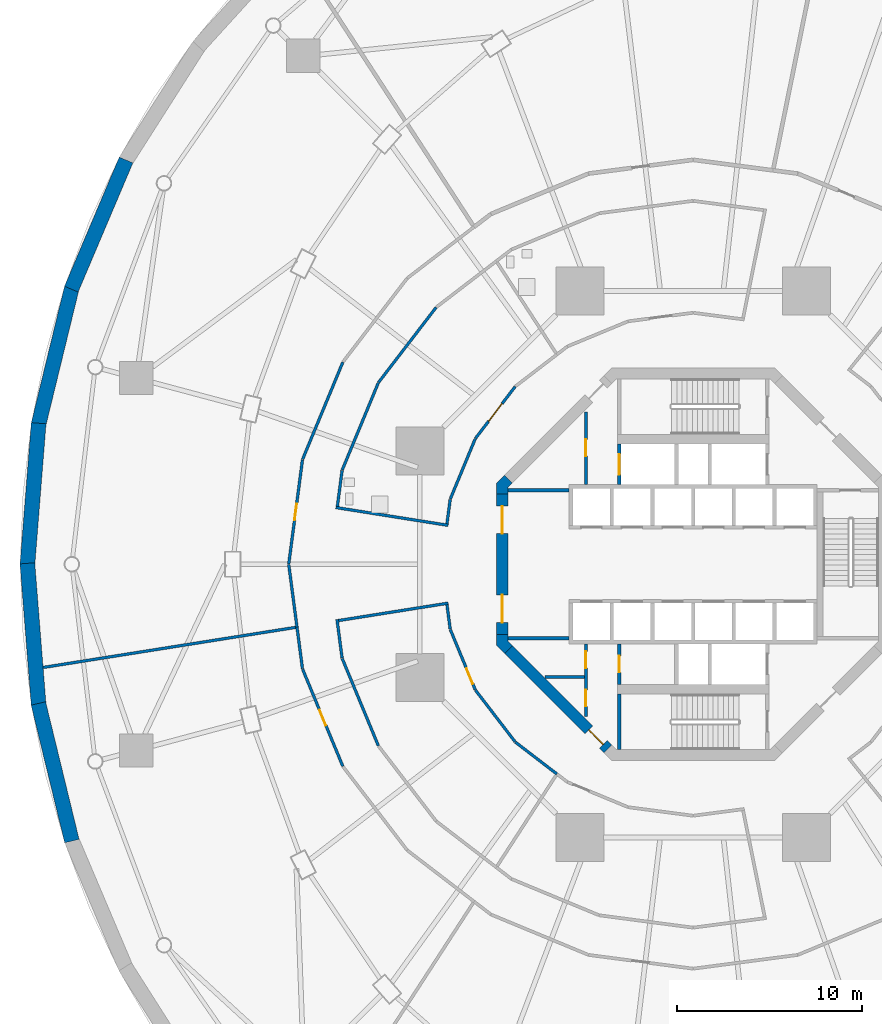
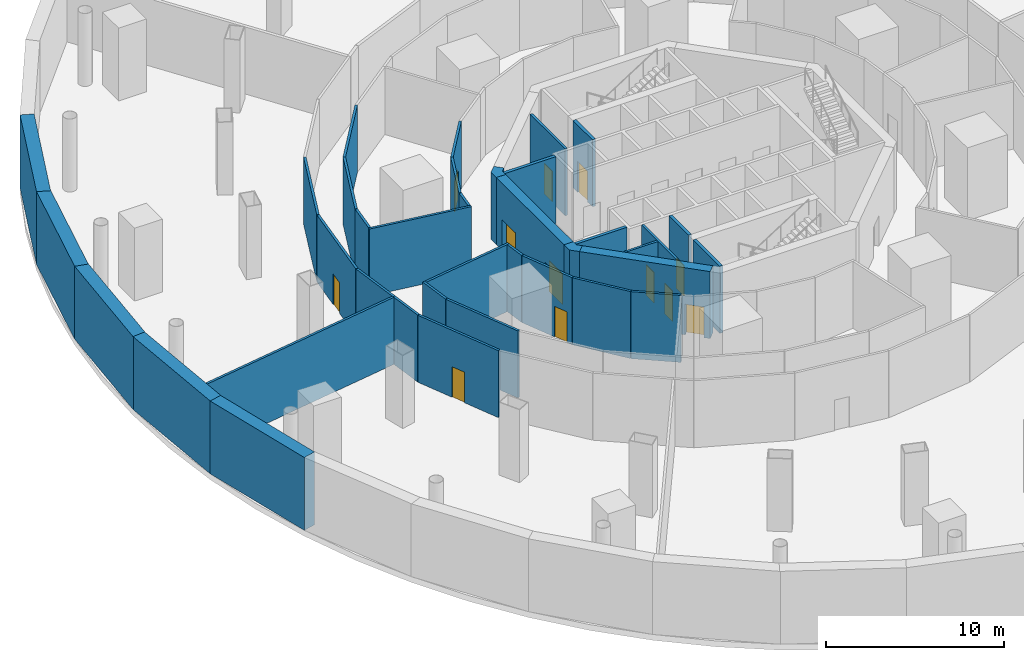
# One storey, part 7 of 14: 37 walls, 12 doors, 12 openings.
"""IFC4 building model written with IfcOpenShell, lengths in metres."""

from ifc_helpers import new_model, si_unit, direction, frame, frame_2d, origin, place, context, subcontext, project, spatial, polyline, rectangle, outline, extrude, material, layer, layer_set, type_object, element, fill, save


model = new_model("IFC4")

# Units and contexts
model_context = context("Model", 3, precision=1e-05, world=origin(), true_north=direction((0.0, 1.0)))
body_context = subcontext(model_context, "Body", "Model", "MODEL_VIEW")
ifc_project = project(units=[si_unit("LENGTHUNIT", "METRE"), si_unit("AREAUNIT", "SQUARE_METRE"), si_unit("VOLUMEUNIT", "CUBIC_METRE"), si_unit("PLANEANGLEUNIT", "RADIAN"), si_unit("MASSUNIT", "GRAM", prefix="KILO")], contexts=[model_context])

# Site, building, storey
site_placement = place(None, origin())
site = spatial("IfcSite", under=ifc_project, at=site_placement, CompositionType="ELEMENT")
building_placement = place(site_placement, origin())
building = spatial("IfcBuilding", under=site, at=building_placement, Name="Nagisa Residences", CompositionType="ELEMENT")
storey_placement = place(building_placement, frame((0.0, 0.0, -5.0)))
storey = spatial("IfcBuildingStorey", under=building, at=storey_placement, Name="B1", CompositionType="ELEMENT", Elevation=-5.0)

# Walls
ifc_material_1 = material(Name="Concrete C40", Category="concrete")
ifc_layer_1 = layer(ifc_material_1, 0.800048828125)
ifc_layer_set_1 = layer_set([ifc_layer_1], Name="Basement retaining wall 800")
wall_type_1 = type_object("IfcWallType", Name="Basement retaining wall 800", PredefinedType="SOLIDWALL", material=ifc_layer_set_1)
wall_1_placement = place(storey_placement, frame((-33.595703125, -14.9716796875, 0.0), z_axis=(0.0, 0.0, 1.0), x_axis=(-0.23668985803, 0.971585256735, 0.0)))
element("IfcWall", 1, at=wall_1_placement, inside=storey, type_object=wall_type_1, Name="wall:B1:ret17", PredefinedType="SOLIDWALL", context=body_context, shape_type="SweptSolid", body=[
    extrude(rectangle(XDim=7.660888671875, YDim=0.800048828125, at=frame_2d((3.83056640625, 0.0))), origin(), (0.0, 0.0, 1.0), 5.0),
])
for number, where, z_axis, x_axis, name in (
    (2, (-35.39306640625, -7.626953125, 0.0), (0.0, 0.0, 1.0), (-0.079287821658, 0.996851764977, 0.0), "wall:B1:ret18"),
    (3, (-36.003662109375, -0.0498046875, 0.0), (0.0, 0.0, 1.0), (0.079287821658, 0.996851764977, 0.0), "wall:B1:ret19"),
):
    element("IfcWall", number, at=place(storey_placement, frame(where, z_axis=z_axis, x_axis=x_axis)), inside=storey, type_object=wall_type_1, Name=name, PredefinedType="SOLIDWALL", context=body_context, shape_type="SweptSolid", body=[
        extrude(rectangle(XDim=7.700927734375, YDim=0.800048828125, at=frame_2d((3.8505859375, 0.0))), origin(), (0.0, 0.0, 1.0), 5.0),
    ])
wall_2_placement = place(storey_placement, frame((-35.408935546875, 7.528564453125, 0.0), z_axis=(0.0, 0.0, 1.0), x_axis=(0.23668985803, 0.971585256735, 0.0)))
element("IfcWall", 4, at=wall_2_placement, inside=storey, type_object=wall_type_1, Name="wall:B1:ret20", PredefinedType="SOLIDWALL", context=body_context, shape_type="SweptSolid", body=[
    extrude(rectangle(XDim=7.660888671875, YDim=0.800048828125, at=frame_2d((3.83056640625, 0.0))), origin(), (0.0, 0.0, 1.0), 5.0),
])
wall_3_placement = place(storey_placement, frame((-33.627197265625, 14.876953125, 0.0), z_axis=(0.0, 0.0, 1.0), x_axis=(0.390299354435, 0.920688011179, 0.0)))
element("IfcWall", 5, at=wall_3_placement, inside=storey, type_object=wall_type_1, Name="wall:B1:ret21", PredefinedType="SOLIDWALL", context=body_context, shape_type="SweptSolid", body=[
    extrude(rectangle(XDim=7.58447265625, YDim=0.800048828125, at=frame_2d((3.792236328125, 0.0))), origin(), (0.0, 0.0, 1.0), 5.0),
])

# Wall, opening, door
ifc_material_2 = material(Name="Gypsum board on steel studs", Category="steel")
ifc_layer_2 = layer(ifc_material_2, 0.14990234375)
ifc_layer_set_2 = layer_set([ifc_layer_2], Name="Core partition 150")
wall_type_2 = type_object("IfcWallType", Name="Core partition 150", PredefinedType="PARTITIONING", material=ifc_layer_set_2)
wall_4_placement = place(storey_placement, frame((-5.800048828125, 4.300048828125, 0.0), z_axis=(0.0, 0.0, 1.0), x_axis=(0.0, 1.0, 0.0)))
wall_4 = element("IfcWall", 6, at=wall_4_placement, inside=storey, type_object=wall_type_2, Name="wall:B1:NWp", PredefinedType="PARTITIONING", context=body_context, shape_type="SweptSolid", body=[
    extrude(rectangle(XDim=3.927001953125, YDim=0.14990234375, at=frame_2d((1.96337890625, 0.0))), origin(), (0.0, 0.0, 1.0), 4.60009765625),
])
opening_1_placement = place(wall_4_placement, frame((1.551025390625, 0.0, 0.0)))
opening_1 = element("IfcOpeningElement", 7, at=opening_1_placement, cuts=wall_4, Name="Opening B1-C19", PredefinedType="OPENING", context=body_context, shape_type="SweptSolid", body=[
    extrude(rectangle(XDim=0.89990234375, YDim=2.10009765625, at=frame_2d((0.449951171875, 1.050048828125))), frame((0.0, 0.0849609375, 0.0), z_axis=(0.0, -1.0, 0.0), x_axis=(1.0, 0.0, 0.0)), (0.0, 0.0, 1.0), 0.169921875),
])
ifc_material_3 = material(Name="Steel fire door", Category="steel")
door_type_1 = type_object("IfcDoorType", Name="Fire door EI30 900x2100 single swing", OperationType="NOTDEFINED", PredefinedType="DOOR", material=ifc_material_3)
door_1_placement = place(opening_1_placement, origin())
door_1 = element("IfcDoor", 8, at=door_1_placement, inside=storey, type_object=door_type_1, Name="Staff WC door B1", OperationType="SINGLE_SWING_RIGHT", OverallHeight=2.10009765625, OverallWidth=0.89990234375, PredefinedType="DOOR", context=body_context, shape_type="SweptSolid", body=[
    extrude(rectangle(XDim=0.89990234375, YDim=2.10009765625, at=frame_2d((0.449951171875, 1.050048828125))), frame((0.0, 0.02490234375, 0.0), z_axis=(0.0, -1.0, 0.0), x_axis=(1.0, 0.0, 0.0)), (0.0, 0.0, 1.0), 0.050048828125),
])
fill(opening_1, door_1)

# Wall, openings, doors
wall_5_placement = place(storey_placement, frame((-5.800048828125, -8.22705078125, 0.0), z_axis=(0.0, 0.0, 1.0), x_axis=(0.0, 1.0, 0.0)))
wall_5 = element("IfcWall", 9, at=wall_5_placement, inside=storey, type_object=wall_type_2, Name="wall:B1:SWp", PredefinedType="PARTITIONING", context=body_context, shape_type="SweptSolid", body=[
    extrude(rectangle(XDim=3.927001953125, YDim=0.14990234375, at=frame_2d((1.96337890625, 0.0))), origin(), (0.0, 0.0, 1.0), 4.60009765625),
])
opening_2_placement = place(wall_5_placement, frame((2.614501953125, 0.0, 0.0)))
opening_2 = element("IfcOpeningElement", 10, at=opening_2_placement, cuts=wall_5, Name="Opening B1-C20", PredefinedType="OPENING", context=body_context, shape_type="SweptSolid", body=[
    extrude(rectangle(XDim=0.89990234375, YDim=2.10009765625, at=frame_2d((0.449951171875, 1.050048828125))), frame((0.0, 0.0849609375, 0.0), z_axis=(0.0, -1.0, 0.0), x_axis=(1.0, 0.0, 0.0)), (0.0, 0.0, 1.0), 0.169921875),
])
opening_3_placement = place(wall_5_placement, frame((0.53857421875, 0.0, 0.0)))
opening_3 = element("IfcOpeningElement", 11, at=opening_3_placement, cuts=wall_5, Name="Opening B1-C21", PredefinedType="OPENING", context=body_context, shape_type="SweptSolid", body=[
    extrude(rectangle(XDim=0.89990234375, YDim=2.10009765625, at=frame_2d((0.449951171875, 1.050048828125))), frame((0.0, 0.0849609375, 0.0), z_axis=(0.0, -1.0, 0.0), x_axis=(1.0, 0.0, 0.0)), (0.0, 0.0, 1.0), 0.169921875),
])
door_2_placement = place(opening_2_placement, origin())
door_2 = element("IfcDoor", 12, at=door_2_placement, inside=storey, type_object=door_type_1, Name="Telecom room door B1", OperationType="SINGLE_SWING_RIGHT", OverallHeight=2.10009765625, OverallWidth=0.89990234375, PredefinedType="DOOR", context=body_context, shape_type="SweptSolid", body=[
    extrude(rectangle(XDim=0.89990234375, YDim=2.10009765625, at=frame_2d((0.449951171875, 1.050048828125))), frame((0.0, 0.02490234375, 0.0), z_axis=(0.0, -1.0, 0.0), x_axis=(1.0, 0.0, 0.0)), (0.0, 0.0, 1.0), 0.050048828125),
])
fill(opening_2, door_2)
door_3_placement = place(opening_3_placement, origin())
door_3 = element("IfcDoor", 13, at=door_3_placement, inside=storey, type_object=door_type_1, Name="Linen store door B1", OperationType="SINGLE_SWING_RIGHT", OverallHeight=2.10009765625, OverallWidth=0.89990234375, PredefinedType="DOOR", context=body_context, shape_type="SweptSolid", body=[
    extrude(rectangle(XDim=0.89990234375, YDim=2.10009765625, at=frame_2d((0.449951171875, 1.050048828125))), frame((0.0, 0.02490234375, 0.0), z_axis=(0.0, -1.0, 0.0), x_axis=(1.0, 0.0, 0.0)), (0.0, 0.0, 1.0), 0.050048828125),
])
fill(opening_3, door_3)

# Walls
wall_6_placement = place(storey_placement, frame((-8.0009765625, -6.10009765625, 0.0), z_axis=(0.0, 0.0, 1.0), x_axis=(1.0, 0.0, 0.0)))
element("IfcWall", 14, at=wall_6_placement, inside=storey, type_object=wall_type_2, Name="wall:B1:SWq", PredefinedType="PARTITIONING", context=body_context, shape_type="SweptSolid", body=[
    extrude(rectangle(XDim=2.1259765625, YDim=0.14990234375, at=frame_2d((1.06298828125, 0.0))), origin(), (0.0, 0.0, 1.0), 4.60009765625),
])
ifc_material_4 = material(Name="Gypsum board on steel studs", Category="steel")
ifc_layer_3 = layer(ifc_material_4, 0.199951171875)
ifc_layer_set_3 = layer_set([ifc_layer_3], Name="Core partition 200")
wall_type_3 = type_object("IfcWallType", Name="Core partition 200", PredefinedType="PARTITIONING", material=ifc_layer_set_3)
for number, where, z_axis, x_axis, name in (
    (15, (-10.024658203125, -4.0, 0.0), (0.0, 0.0, 1.0), (1.0, 0.0, 0.0), "wall:B1:PSW"),
    (16, (-10.024658203125, 4.0, 0.0), (0.0, 0.0, 1.0), (1.0, 0.0, 0.0), "wall:B1:PNW"),
):
    element("IfcWall", number, at=place(storey_placement, frame(where, z_axis=z_axis, x_axis=x_axis)), inside=storey, type_object=wall_type_3, Name=name, PredefinedType="PARTITIONING", context=body_context, shape_type="SweptSolid", body=[
        extrude(rectangle(XDim=3.32470703125, YDim=0.199951171875, at=frame_2d((1.662353515625, 0.0))), origin(), (0.0, 0.0, 1.0), 4.60009765625),
    ])

# Wall, openings, doors
ifc_material_5 = material(Name="Concrete C60", Category="concrete")
ifc_layer_4 = layer(ifc_material_5, 0.60009765625)
ifc_layer_set_4 = layer_set([ifc_layer_4], Name="Core shear wall 600")
wall_type_4 = type_object("IfcWallType", Name="Core shear wall 600", PredefinedType="SHEAR", material=ifc_layer_set_4)
wall_7_placement = place(storey_placement, frame((-10.32470703125, 3.80078125, 0.0), z_axis=(0.0, 0.0, 1.0), x_axis=(0.0, -1.0, 0.0)))
wall_7 = element("IfcWall", 17, at=wall_7_placement, inside=storey, type_object=wall_type_4, Name="wall:B1:core:flat4", PredefinedType="SHEAR", context=body_context, shape_type="SweptSolid", body=[
    extrude(rectangle(XDim=7.6015625, YDim=0.60009765625, at=frame_2d((3.80078125, 0.0))), origin(), (0.0, 0.0, 1.0), 4.60009765625),
])
opening_4_placement = place(wall_7_placement, frame((0.65087890625, 0.0, 0.0)))
opening_4 = element("IfcOpeningElement", 18, at=opening_4_placement, cuts=wall_7, Name="Opening B1-C25", PredefinedType="OPENING", context=body_context, shape_type="SweptSolid", body=[
    extrude(rectangle(XDim=1.5, YDim=2.10009765625, at=frame_2d((0.75, 1.050048828125))), frame((0.0, 0.31005859375, 0.0), z_axis=(0.0, -1.0, 0.0), x_axis=(1.0, 0.0, 0.0)), (0.0, 0.0, 1.0), 0.6201171875),
])
opening_5_placement = place(wall_7_placement, frame((5.450927734375, 0.0, 0.0)))
opening_5 = element("IfcOpeningElement", 19, at=opening_5_placement, cuts=wall_7, Name="Opening B1-C26", PredefinedType="OPENING", context=body_context, shape_type="SweptSolid", body=[
    extrude(rectangle(XDim=1.5, YDim=2.10009765625, at=frame_2d((0.75, 1.050048828125))), frame((0.0, 0.31005859375, 0.0), z_axis=(0.0, -1.0, 0.0), x_axis=(1.0, 0.0, 0.0)), (0.0, 0.0, 1.0), 0.6201171875),
])
ifc_material_6 = material(Name="Steel fire door", Category="steel")
door_type_2 = type_object("IfcDoorType", Name="Fire door EI60 1500x2100 double door single swing", OperationType="DOUBLE_DOOR_SINGLE_SWING", PredefinedType="DOOR", material=ifc_material_6)
door_4_placement = place(opening_4_placement, origin())
door_4 = element("IfcDoor", 20, at=door_4_placement, inside=storey, type_object=door_type_2, Name="Lift lobby door B1 1", OperationType="DOUBLE_DOOR_SINGLE_SWING", OverallHeight=2.10009765625, OverallWidth=1.5, PredefinedType="DOOR", context=body_context, shape_type="SweptSolid", body=[
    extrude(rectangle(XDim=1.5, YDim=2.10009765625, at=frame_2d((0.75, 1.050048828125))), frame((0.0, 0.02490234375, 0.0), z_axis=(0.0, -1.0, 0.0), x_axis=(1.0, 0.0, 0.0)), (0.0, 0.0, 1.0), 0.050048828125),
])
fill(opening_4, door_4)
door_5_placement = place(opening_5_placement, origin())
door_5 = element("IfcDoor", 21, at=door_5_placement, inside=storey, type_object=door_type_2, Name="Lift lobby door B1 2", OperationType="DOUBLE_DOOR_SINGLE_SWING", OverallHeight=2.10009765625, OverallWidth=1.5, PredefinedType="DOOR", context=body_context, shape_type="SweptSolid", body=[
    extrude(rectangle(XDim=1.5, YDim=2.10009765625, at=frame_2d((0.75, 1.050048828125))), frame((0.0, 0.02490234375, 0.0), z_axis=(0.0, -1.0, 0.0), x_axis=(1.0, 0.0, 0.0)), (0.0, 0.0, 1.0), 0.050048828125),
])
fill(opening_5, door_5)

# Wall, opening, door
wall_8_placement = place(storey_placement, frame((-9.98828125, -4.613037109375, 0.0), z_axis=(0.0, 0.0, 1.0), x_axis=(0.707106781187, -0.707106781187, 0.0)))
wall_8 = element("IfcWall", 22, at=wall_8_placement, inside=storey, type_object=wall_type_4, Name="wall:B1:core:flat5", PredefinedType="SHEAR", context=body_context, shape_type="SweptSolid", body=[
    extrude(rectangle(XDim=7.601806640625, YDim=0.60009765625, at=frame_2d((3.80078125, 0.0))), origin(), (0.0, 0.0, 1.0), 4.60009765625),
])
opening_6_placement = place(wall_8_placement, frame((6.15087890625, 0.0, 0.0)))
opening_6 = element("IfcOpeningElement", 23, at=opening_6_placement, cuts=wall_8, Name="Opening B1-C28", PredefinedType="OPENING", context=body_context, shape_type="SweptSolid", body=[
    extrude(rectangle(XDim=1.10009765625, YDim=2.10009765625, at=frame_2d((0.550048828125, 1.050048828125))), frame((0.0, 0.31005859375, 0.0), z_axis=(0.0, -1.0, 0.0), x_axis=(1.0, 0.0, 0.0)), (0.0, 0.0, 1.0), 0.6201171875),
])
ifc_material_7 = material(Name="Steel fire door", Category="steel")
door_type_3 = type_object("IfcDoorType", Name="Fire door EI60 1100x2100 single swing", OperationType="NOTDEFINED", PredefinedType="DOOR", material=ifc_material_7)
door_6_placement = place(opening_6_placement, origin())
door_6 = element("IfcDoor", 24, at=door_6_placement, inside=storey, type_object=door_type_3, Name="Housekeeping lobby door B1", OperationType="SINGLE_SWING_RIGHT", OverallHeight=2.10009765625, OverallWidth=1.10009765625, PredefinedType="DOOR", context=body_context, shape_type="SweptSolid", body=[
    extrude(rectangle(XDim=1.10009765625, YDim=2.10009765625, at=frame_2d((0.550048828125, 1.050048828125))), frame((0.0, 0.02490234375, 0.0), z_axis=(0.0, -1.0, 0.0), x_axis=(1.0, 0.0, 0.0)), (0.0, 0.0, 1.0), 0.050048828125),
])
fill(opening_6, door_6)

# Walls
wall_9_placement = place(storey_placement, origin())
element("IfcWall", 25, at=wall_9_placement, inside=storey, type_object=wall_type_4, Name="wall:B1:core:pier4", PredefinedType="SHEAR", context=body_context, shape_type="SweptSolid", body=[
    extrude(outline(polyline([(-10.62451171875, -3.80078125), (-10.024658203125, -3.80078125), (-10.024658203125, -4.15234375), (-9.776123046875, -4.40087890625), (-10.200439453125, -4.8251953125), (-10.62451171875, -4.40087890625), (-10.62451171875, -3.80078125)])), origin(), (0.0, 0.0, 1.0), 4.60009765625),
])
wall_10_placement = place(storey_placement, origin())
element("IfcWall", 26, at=wall_10_placement, inside=storey, type_object=wall_type_4, Name="wall:B1:core:pier3", PredefinedType="SHEAR", context=body_context, shape_type="SweptSolid", body=[
    extrude(outline(polyline([(-10.200439453125, 4.8251953125), (-9.776123046875, 4.40087890625), (-10.024658203125, 4.15234375), (-10.024658203125, 3.80078125), (-10.62451171875, 3.80078125), (-10.62451171875, 4.40087890625), (-10.200439453125, 4.8251953125)])), origin(), (0.0, 0.0, 1.0), 4.60009765625),
])

# Wall, opening, door
ifc_material_8 = material(Name="Concrete C60", Category="concrete")
ifc_layer_5 = layer(ifc_material_8, 0.199951171875)
ifc_layer_set_5 = layer_set([ifc_layer_5], Name="Lift shaft wall 200")
wall_type_5 = type_object("IfcWallType", Name="Lift shaft wall 200", PredefinedType="SOLIDWALL", material=ifc_layer_set_5)
wall_11_placement = place(storey_placement, frame((-4.0, 4.300048828125, 0.0), z_axis=(0.0, 0.0, 1.0), x_axis=(0.0, 1.0, 0.0)))
wall_11 = element("IfcWall", 27, at=wall_11_placement, inside=storey, type_object=wall_type_5, Name="wall:B1:Nb4", PredefinedType="SOLIDWALL", context=body_context, shape_type="SweptSolid", body=[
    extrude(rectangle(XDim=2.199951171875, YDim=0.199951171875, at=frame_2d((1.10009765625, 0.0))), origin(), (0.0, 0.0, 1.0), 4.60009765625),
])
opening_7_placement = place(wall_11_placement, frame((0.550048828125, 0.0, 0.0)))
opening_7 = element("IfcOpeningElement", 28, at=opening_7_placement, cuts=wall_11, Name="Opening B1-C15", PredefinedType="OPENING", context=body_context, shape_type="SweptSolid", body=[
    extrude(rectangle(XDim=1.10009765625, YDim=2.10009765625, at=frame_2d((0.550048828125, 1.050048828125))), frame((0.0, 0.10986328125, 0.0), z_axis=(0.0, -1.0, 0.0), x_axis=(1.0, 0.0, 0.0)), (0.0, 0.0, 1.0), 0.219970703125),
])
ifc_material_9 = material(Name="Stainless steel", Category="steel")
door_type_4 = type_object("IfcDoorType", Name="Lift landing door 1100x2100", OperationType="DOUBLE_DOOR_SLIDING", PredefinedType="DOOR", material=ifc_material_9)
door_7_placement = place(opening_7_placement, origin())
door_7 = element("IfcDoor", 29, at=door_7_placement, inside=storey, type_object=door_type_4, Name="Landing door SV B1", OperationType="DOUBLE_DOOR_SLIDING", OverallHeight=2.10009765625, OverallWidth=1.10009765625, PredefinedType="DOOR", context=body_context, shape_type="SweptSolid", body=[
    extrude(rectangle(XDim=1.10009765625, YDim=2.10009765625, at=frame_2d((0.550048828125, 1.050048828125))), frame((0.0, 0.02490234375, 0.0), z_axis=(0.0, -1.0, 0.0), x_axis=(1.0, 0.0, 0.0)), (0.0, 0.0, 1.0), 0.050048828125),
])
fill(opening_7, door_7)

wall_12_placement = place(storey_placement, frame((-4.0, -6.5, 0.0), z_axis=(0.0, 0.0, 1.0), x_axis=(0.0, 1.0, 0.0)))
wall_12 = element("IfcWall", 30, at=wall_12_placement, inside=storey, type_object=wall_type_5, Name="wall:B1:Sb4", PredefinedType="SOLIDWALL", context=body_context, shape_type="SweptSolid", body=[
    extrude(rectangle(XDim=2.199951171875, YDim=0.199951171875, at=frame_2d((1.10009765625, 0.0))), origin(), (0.0, 0.0, 1.0), 4.60009765625),
])
opening_8_placement = place(wall_12_placement, frame((0.64990234375, 0.0, 0.0)))
opening_8 = element("IfcOpeningElement", 31, at=opening_8_placement, cuts=wall_12, Name="Opening B1-C22", PredefinedType="OPENING", context=body_context, shape_type="SweptSolid", body=[
    extrude(rectangle(XDim=0.89990234375, YDim=2.10009765625, at=frame_2d((0.449951171875, 1.050048828125))), frame((0.0, 0.10986328125, 0.0), z_axis=(0.0, -1.0, 0.0), x_axis=(1.0, 0.0, 0.0)), (0.0, 0.0, 1.0), 0.219970703125),
])
door_8_placement = place(opening_8_placement, frame((0.89990234375, 0.0, 0.0), x_axis=(-1.0, 0.0, 0.0)))
door_8 = element("IfcDoor", 32, at=door_8_placement, inside=storey, type_object=door_type_1, Name="Refuse room door B1", OperationType="SINGLE_SWING_LEFT", OverallHeight=2.10009765625, OverallWidth=0.89990234375, PredefinedType="DOOR", context=body_context, shape_type="SweptSolid", body=[
    extrude(rectangle(XDim=0.89990234375, YDim=2.10009765625, at=frame_2d((0.449951171875, 1.050048828125))), frame((0.0, 0.02490234375, 0.0), z_axis=(0.0, -1.0, 0.0), x_axis=(1.0, 0.0, 0.0)), (0.0, 0.0, 1.0), 0.050048828125),
])
fill(opening_8, door_8)

ifc_material_10 = material(Name="Gypsum board on steel studs", Category="steel")
ifc_layer_6 = layer(ifc_material_10, 0.14990234375)
ifc_layer_set_6 = layer_set([ifc_layer_6], Name="Room partition EI60 150")
wall_type_6 = type_object("IfcWallType", Name="Room partition EI60 150", PredefinedType="PARTITIONING", material=ifc_layer_set_6)
wall_13_placement = place(storey_placement, frame((-21.869140625, 0.01171875, 0.0), z_axis=(0.0, 0.0, 1.0), x_axis=(0.130532262837, 0.991444062143, 0.0)))
wall_13 = element("IfcWall", 33, at=wall_13_placement, inside=storey, type_object=wall_type_6, Name="wall:B1:am000", PredefinedType="PARTITIONING", context=body_context, shape_type="SweptSolid", body=[
    extrude(rectangle(XDim=5.685791015625, YDim=0.14990234375, at=frame_2d((2.8427734375, 0.0))), origin(), (0.0, 0.0, 1.0), 4.60009765625),
])
opening_9_placement = place(wall_13_placement, frame((2.392822265625, 0.0, 0.0)))
opening_9 = element("IfcOpeningElement", 34, at=opening_9_placement, cuts=wall_13, Name="Opening B1-A10", PredefinedType="OPENING", context=body_context, shape_type="SweptSolid", body=[
    extrude(rectangle(XDim=0.89990234375, YDim=2.10009765625, at=frame_2d((0.449951171875, 1.050048828125))), frame((0.0, 0.0849609375, 0.0), z_axis=(0.0, -1.0, 0.0), x_axis=(1.0, 0.0, 0.0)), (0.0, 0.0, 1.0), 0.169921875),
])
door_9_placement = place(opening_9_placement, origin())
door_9 = element("IfcDoor", 35, at=door_9_placement, inside=storey, type_object=door_type_1, Name="Linen store door", OperationType="SINGLE_SWING_LEFT", OverallHeight=2.10009765625, OverallWidth=0.89990234375, PredefinedType="DOOR", context=body_context, shape_type="SweptSolid", body=[
    extrude(rectangle(XDim=0.89990234375, YDim=2.10009765625, at=frame_2d((0.449951171875, 1.050048828125))), frame((0.0, 0.02490234375, 0.0), z_axis=(0.0, -1.0, 0.0), x_axis=(1.0, 0.0, 0.0)), (0.0, 0.0, 1.0), 0.050048828125),
])
fill(opening_9, door_9)

# Walls
wall_14_placement = place(storey_placement, frame((-21.4970703125, -3.413818359375, 0.0), z_axis=(0.0, 0.0, 1.0), x_axis=(-0.987622855612, -0.156847362339, 0.0)))
element("IfcWall", 36, at=wall_14_placement, inside=storey, type_object=wall_type_6, Name="wall:B1:am001", PredefinedType="PARTITIONING", context=body_context, shape_type="SweptSolid", body=[
    extrude(rectangle(XDim=13.828369140625, YDim=0.14990234375, at=frame_2d((6.9140625, 0.0))), origin(), (0.0, 0.0, 1.0), 4.60009765625),
])
wall_15_placement = place(storey_placement, frame((-21.4228515625, -3.402099609375, 0.0), z_axis=(0.0, 0.0, 1.0), x_axis=(-0.130508069965, 0.991447247045, 0.0)))
element("IfcWall", 37, at=wall_15_placement, inside=storey, type_object=wall_type_6, Name="wall:B1:am002", PredefinedType="PARTITIONING", context=body_context, shape_type="SweptSolid", body=[
    extrude(rectangle(XDim=3.419677734375, YDim=0.14990234375, at=frame_2d((1.7099609375, 0.0))), origin(), (0.0, 0.0, 1.0), 4.60009765625),
])
wall_16_placement = place(storey_placement, frame((-21.126953125, -5.64892578125, 0.0), z_axis=(0.0, 0.0, 1.0), x_axis=(-0.130568768581, 0.991439255159, 0.0)))
element("IfcWall", 38, at=wall_16_placement, inside=storey, type_object=wall_type_6, Name="wall:B1:am003", PredefinedType="PARTITIONING", context=body_context, shape_type="SweptSolid", body=[
    extrude(rectangle(XDim=2.26611328125, YDim=0.14990234375, at=frame_2d((1.133056640625, 0.0))), origin(), (0.0, 0.0, 1.0), 4.60009765625),
])
wall_17_placement = place(storey_placement, frame((-21.120849609375, 5.671630859375, 0.0), z_axis=(0.0, 0.0, 1.0), x_axis=(0.38269058712, 0.923876568882, 0.0)))
element("IfcWall", 39, at=wall_17_placement, inside=storey, type_object=wall_type_6, Name="wall:B1:am004", PredefinedType="PARTITIONING", context=body_context, shape_type="SweptSolid", body=[
    extrude(rectangle(XDim=5.685546875, YDim=0.14990234375, at=frame_2d((2.8427734375, 0.0))), origin(), (0.0, 0.0, 1.0), 4.60009765625),
])
wall_18_placement = place(storey_placement, frame((-19.25927734375, -2.982421875, 0.0), z_axis=(0.0, 0.0, 1.0), x_axis=(0.130625106848, -0.991431833996, 0.0)))
element("IfcWall", 40, at=wall_18_placement, inside=storey, type_object=wall_type_6, Name="wall:B1:am005", PredefinedType="PARTITIONING", context=body_context, shape_type="SweptSolid", body=[
    extrude(rectangle(XDim=2.110107421875, YDim=0.14990234375, at=frame_2d((1.05517578125, 0.0))), origin(), (0.0, 0.0, 1.0), 4.60009765625),
])
wall_19_placement = place(storey_placement, frame((-19.323486328125, 3.068603515625, 0.0), z_axis=(0.0, 0.0, 1.0), x_axis=(0.987626164326, -0.156826526897, 0.0)))
element("IfcWall", 41, at=wall_19_placement, inside=storey, type_object=wall_type_6, Name="wall:B1:am006", PredefinedType="PARTITIONING", context=body_context, shape_type="SweptSolid", body=[
    extrude(rectangle(XDim=6.15234375, YDim=0.14990234375, at=frame_2d((3.076171875, 0.0))), origin(), (0.0, 0.0, 1.0), 4.60009765625),
])
wall_20_placement = place(storey_placement, frame((-18.9775390625, -5.09716796875, 0.0), z_axis=(0.0, 0.0, 1.0), x_axis=(0.382672704618, -0.923883976017, 0.0)))
element("IfcWall", 42, at=wall_20_placement, inside=storey, type_object=wall_type_6, Name="wall:B1:am007", PredefinedType="PARTITIONING", context=body_context, shape_type="SweptSolid", body=[
    extrude(rectangle(XDim=5.1064453125, YDim=0.14990234375, at=frame_2d((2.55322265625, 0.0))), origin(), (0.0, 0.0, 1.0), 4.60009765625),
])
wall_21_placement = place(storey_placement, frame((-18.983642578125, 5.074462890625, 0.0), z_axis=(0.0, 0.0, 1.0), x_axis=(-0.130547959689, -0.991441995389, 0.0)))
element("IfcWall", 43, at=wall_21_placement, inside=storey, type_object=wall_type_6, Name="wall:B1:am008", PredefinedType="PARTITIONING", context=body_context, shape_type="SweptSolid", body=[
    extrude(rectangle(XDim=1.9599609375, YDim=0.14990234375, at=frame_2d((0.97998046875, 0.0))), origin(), (0.0, 0.0, 1.0), 4.60009765625),
])

# Wall, opening, door
wall_22_placement = place(storey_placement, frame((-18.945068359375, -10.92431640625, 0.0), z_axis=(0.0, 0.0, 1.0), x_axis=(-0.38269058712, 0.923876568882, 0.0)))
wall_22 = element("IfcWall", 44, at=wall_22_placement, inside=storey, type_object=wall_type_6, Name="wall:B1:am009", PredefinedType="PARTITIONING", context=body_context, shape_type="SweptSolid", body=[
    extrude(rectangle(XDim=5.685546875, YDim=0.14990234375, at=frame_2d((2.8427734375, 0.0))), origin(), (0.0, 0.0, 1.0), 4.60009765625),
])
opening_10_placement = place(wall_22_placement, frame((2.392822265625, 0.0, 0.0)))
opening_10 = element("IfcOpeningElement", 45, at=opening_10_placement, cuts=wall_22, Name="Opening B1-A11", PredefinedType="OPENING", context=body_context, shape_type="SweptSolid", body=[
    extrude(rectangle(XDim=0.89990234375, YDim=2.10009765625, at=frame_2d((0.449951171875, 1.050048828125))), frame((0.0, 0.0849609375, 0.0), z_axis=(0.0, -1.0, 0.0), x_axis=(1.0, 0.0, 0.0)), (0.0, 0.0, 1.0), 0.169921875),
])
door_10_placement = place(opening_10_placement, origin())
door_10 = element("IfcDoor", 46, at=door_10_placement, inside=storey, type_object=door_type_1, Name="Spa services store door", OperationType="SINGLE_SWING_RIGHT", OverallHeight=2.10009765625, OverallWidth=0.89990234375, PredefinedType="DOOR", context=body_context, shape_type="SweptSolid", body=[
    extrude(rectangle(XDim=0.89990234375, YDim=2.10009765625, at=frame_2d((0.449951171875, 1.050048828125))), frame((0.0, 0.02490234375, 0.0), z_axis=(0.0, -1.0, 0.0), x_axis=(1.0, 0.0, 0.0)), (0.0, 0.0, 1.0), 0.050048828125),
])
fill(opening_10, door_10)

# Walls
for number, where, z_axis, x_axis, name in (
    (47, (-17.0234375, 9.81494140625, 0.0), (0.0, 0.0, 1.0), (-0.382672704618, -0.923883976017, 0.0), "wall:B1:am012"),
    (48, (-13.903076171875, 13.886474609375, 0.0), (0.0, 0.0, 1.0), (-0.608760705644, -0.793353895348, 0.0), "wall:B1:am016"),
):
    element("IfcWall", number, at=place(storey_placement, frame(where, z_axis=z_axis, x_axis=x_axis)), inside=storey, type_object=wall_type_6, Name=name, PredefinedType="PARTITIONING", context=body_context, shape_type="SweptSolid", body=[
        extrude(rectangle(XDim=5.1064453125, YDim=0.14990234375, at=frame_2d((2.55322265625, 0.0))), origin(), (0.0, 0.0, 1.0), 4.60009765625),
    ])
wall_23_placement = place(storey_placement, frame((-13.247314453125, -2.103759765625, 0.0), z_axis=(0.0, 0.0, 1.0), x_axis=(-0.98762373009, -0.156841855905, 0.0)))
element("IfcWall", 49, at=wall_23_placement, inside=storey, type_object=wall_type_6, Name="wall:B1:am017", PredefinedType="PARTITIONING", context=body_context, shape_type="SweptSolid", body=[
    extrude(rectangle(XDim=6.002197265625, YDim=0.14990234375, at=frame_2d((3.0009765625, 0.0))), origin(), (0.0, 0.0, 1.0), 4.60009765625),
])
for number, where, z_axis, x_axis, name in (
    (50, (-13.311767578125, 2.18994140625, 0.0), (0.0, 0.0, 1.0), (0.130563767128, 0.991439913819, 0.0), "wall:B1:am018"),
    (51, (-13.13818359375, -3.508056640625, 0.0), (0.0, 0.0, 1.0), (-0.130563767128, 0.991439913819, 0.0), "wall:B1:am019"),
):
    element("IfcWall", number, at=place(storey_placement, frame(where, z_axis=z_axis, x_axis=x_axis)), inside=storey, type_object=wall_type_6, Name=name, PredefinedType="PARTITIONING", context=body_context, shape_type="SweptSolid", body=[
        extrude(rectangle(XDim=1.32958984375, YDim=0.14990234375, at=frame_2d((0.664794921875, 0.0))), origin(), (0.0, 0.0, 1.0), 4.60009765625),
    ])
wall_24_placement = place(storey_placement, frame((-13.132080078125, 3.53076171875, 0.0), z_axis=(0.0, 0.0, 1.0), x_axis=(0.382677866108, 0.923881838111, 0.0)))
element("IfcWall", 52, at=wall_24_placement, inside=storey, type_object=wall_type_6, Name="wall:B1:am020", PredefinedType="PARTITIONING", context=body_context, shape_type="SweptSolid", body=[
    extrude(rectangle(XDim=3.52685546875, YDim=0.14990234375, at=frame_2d((1.763427734375, 0.0))), origin(), (0.0, 0.0, 1.0), 4.60009765625),
])

# Wall, opening, door
wall_25_placement = place(storey_placement, frame((-11.782470703125, -6.7890625, 0.0), z_axis=(0.0, 0.0, 1.0), x_axis=(-0.382677866108, 0.923881838111, 0.0)))
wall_25 = element("IfcWall", 53, at=wall_25_placement, inside=storey, type_object=wall_type_6, Name="wall:B1:am023", PredefinedType="PARTITIONING", context=body_context, shape_type="SweptSolid", body=[
    extrude(rectangle(XDim=3.52685546875, YDim=0.14990234375, at=frame_2d((1.763427734375, 0.0))), origin(), (0.0, 0.0, 1.0), 4.60009765625),
])
opening_11_placement = place(wall_25_placement, frame((0.345703125, 0.0, 0.0)))
opening_11 = element("IfcOpeningElement", 54, at=opening_11_placement, cuts=wall_25, Name="Opening B1-A04", PredefinedType="OPENING", context=body_context, shape_type="SweptSolid", body=[
    extrude(rectangle(XDim=0.89990234375, YDim=2.10009765625, at=frame_2d((0.449951171875, 1.050048828125))), frame((0.0, 0.0849609375, 0.0), z_axis=(0.0, -1.0, 0.0), x_axis=(1.0, 0.0, 0.0)), (0.0, 0.0, 1.0), 0.169921875),
])
door_11_placement = place(opening_11_placement, origin())
door_11 = element("IfcDoor", 55, at=door_11_placement, inside=storey, type_object=door_type_1, Name="Sauna and steam rooms door", OperationType="SINGLE_SWING_LEFT", OverallHeight=2.10009765625, OverallWidth=0.89990234375, PredefinedType="DOOR", context=body_context, shape_type="SweptSolid", body=[
    extrude(rectangle(XDim=0.89990234375, YDim=2.10009765625, at=frame_2d((0.449951171875, 1.050048828125))), frame((0.0, 0.02490234375, 0.0), z_axis=(0.0, -1.0, 0.0), x_axis=(1.0, 0.0, 0.0)), (0.0, 0.0, 1.0), 0.050048828125),
])
fill(opening_11, door_11)

wall_26_placement = place(storey_placement, frame((-11.770751953125, 6.809326171875, 0.0), z_axis=(0.0, 0.0, 1.0), x_axis=(0.608736710054, 0.793372307201, 0.0)))
wall_26 = element("IfcWall", 56, at=wall_26_placement, inside=storey, type_object=wall_type_6, Name="wall:B1:am024", PredefinedType="PARTITIONING", context=body_context, shape_type="SweptSolid", body=[
    extrude(rectangle(XDim=3.526611328125, YDim=0.14990234375, at=frame_2d((1.76318359375, 0.0))), origin(), (0.0, 0.0, 1.0), 4.60009765625),
])
opening_12_placement = place(wall_26_placement, frame((1.163330078125, 0.0, 0.0)))
opening_12 = element("IfcOpeningElement", 57, at=opening_12_placement, cuts=wall_26, Name="Opening B1-A03", PredefinedType="OPENING", context=body_context, shape_type="SweptSolid", body=[
    extrude(rectangle(XDim=1.199951171875, YDim=2.10009765625, at=frame_2d((0.60009765625, 1.050048828125))), frame((0.0, 0.0849609375, 0.0), z_axis=(0.0, -1.0, 0.0), x_axis=(1.0, 0.0, 0.0)), (0.0, 0.0, 1.0), 0.169921875),
])
ifc_material_11 = material(Name="Steel fire door", Category="steel")
door_type_5 = type_object("IfcDoorType", Name="Fire door EI30 1200x2100 single swing", OperationType="NOTDEFINED", PredefinedType="DOOR", material=ifc_material_11)
door_12_placement = place(opening_12_placement, frame((1.199951171875, 0.0, 0.0), x_axis=(-1.0, 0.0, 0.0)))
door_12 = element("IfcDoor", 58, at=door_12_placement, inside=storey, type_object=door_type_5, Name="Men's changing rooms door", OperationType="SINGLE_SWING_LEFT", OverallHeight=2.10009765625, OverallWidth=1.199951171875, PredefinedType="DOOR", context=body_context, shape_type="SweptSolid", body=[
    extrude(rectangle(XDim=1.199951171875, YDim=2.10009765625, at=frame_2d((0.60009765625, 1.050048828125))), frame((0.0, 0.02490234375, 0.0), z_axis=(0.0, -1.0, 0.0), x_axis=(1.0, 0.0, 0.0)), (0.0, 0.0, 1.0), 0.050048828125),
])
fill(opening_12, door_12)

# Walls
wall_27_placement = place(storey_placement, frame((-9.6240234375, -9.607177734375, 0.0), z_axis=(0.0, 0.0, 1.0), x_axis=(-0.608736710054, 0.793372307201, 0.0)))
element("IfcWall", 59, at=wall_27_placement, inside=storey, type_object=wall_type_6, Name="wall:B1:am030", PredefinedType="PARTITIONING", context=body_context, shape_type="SweptSolid", body=[
    extrude(rectangle(XDim=3.526611328125, YDim=0.14990234375, at=frame_2d((1.76318359375, 0.0))), origin(), (0.0, 0.0, 1.0), 4.60009765625),
])
wall_28_placement = place(storey_placement, frame((-7.366455078125, -11.34326171875, 0.0), z_axis=(0.0, 0.0, 1.0), x_axis=(-0.793375345407, 0.608732750311, 0.0)))
element("IfcWall", 60, at=wall_28_placement, inside=storey, type_object=wall_type_6, Name="wall:B1:am033", PredefinedType="PARTITIONING", context=body_context, shape_type="SweptSolid", body=[
    extrude(rectangle(XDim=2.82421875, YDim=0.14990234375, at=frame_2d((1.412109375, 0.0))), origin(), (0.0, 0.0, 1.0), 4.60009765625),
])
ifc_material_12 = material(Name="Concrete C60", Category="concrete")
ifc_layer_7 = layer(ifc_material_12, 0.199951171875)
ifc_layer_set_7 = layer_set([ifc_layer_7], Name="Stair enclosure wall 200")
wall_type_7 = type_object("IfcWallType", Name="Stair enclosure wall 200", PredefinedType="SOLIDWALL", material=ifc_layer_set_7)
wall_29_placement = place(storey_placement, origin())
element("IfcWall", 61, at=wall_29_placement, inside=storey, type_object=wall_type_7, Name="wall:B1:SS_w", PredefinedType="SOLIDWALL", context=body_context, shape_type="SweptSolid", body=[
    extrude(outline(polyline([(-3.89990234375, -10.024658203125), (-4.10009765625, -10.024658203125), (-4.10009765625, -7.024658203125), (-3.89990234375, -7.024658203125), (-3.89990234375, -10.024658203125)])), origin(), (0.0, 0.0, 1.0), 4.60009765625),
])

save(model, "model.ifc")
